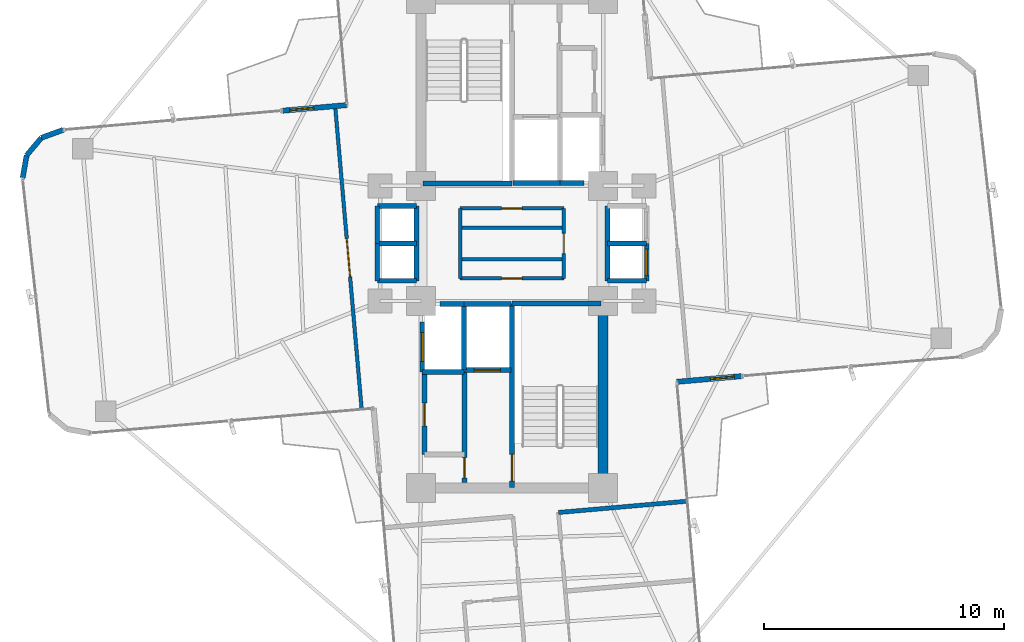
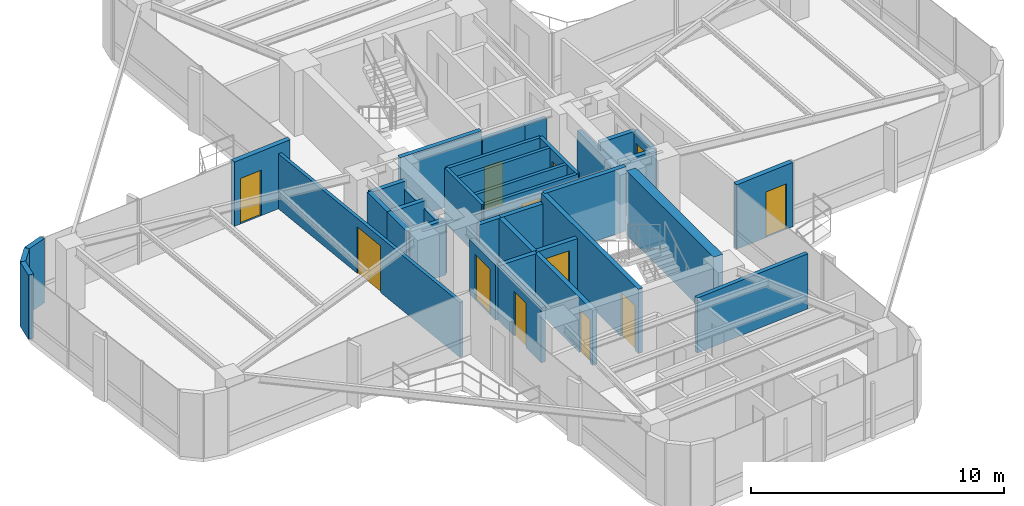
# One storey, part 21 of 24: 37 walls, 12 doors, 12 openings.
"""IFC4 building model written with IfcOpenShell, lengths in metres."""

from ifc_helpers import new_model, si_unit, direction, frame, frame_2d, origin, origin_2d, place, context, subcontext, project, spatial, rectangle, extrude, source, transform, mapped, material, layer, layer_set, type_object, element, fill, save


model = new_model("IFC4")

# Units and contexts
model_context = context("Model", 3, precision=1e-05, world=origin(), true_north=direction((0.0, 1.0)))
body_context = subcontext(model_context, "Body", "Model", "MODEL_VIEW")
ifc_project = project(units=[si_unit("LENGTHUNIT", "METRE"), si_unit("AREAUNIT", "SQUARE_METRE"), si_unit("VOLUMEUNIT", "CUBIC_METRE"), si_unit("PLANEANGLEUNIT", "RADIAN"), si_unit("MASSUNIT", "GRAM", prefix="KILO")], contexts=[model_context])

# Site, building, storey
site_placement = place(None, origin())
site = spatial("IfcSite", under=ifc_project, at=site_placement, CompositionType="ELEMENT")
building_placement = place(site_placement, origin())
building = spatial("IfcBuilding", under=site, at=building_placement, Name="Sahyath Konkavel Grand Hotel", CompositionType="ELEMENT")
storey_placement = place(building_placement, frame((0.0, 0.0, 160.64990234375)))
storey = spatial("IfcBuildingStorey", under=building, at=storey_placement, Name="L44", CompositionType="ELEMENT", Elevation=160.64990234375)

# Wall
ifc_material_1 = material(Name="Concrete C50/60", Category="concrete")
ifc_layer_1 = layer(ifc_material_1, 0.419921875)
ifc_layer_set_1 = layer_set([ifc_layer_1], Name="Concrete C50/60")
wall_type_1 = type_object("IfcWallType", Name="CWALL-420", PredefinedType="SHEAR", material=ifc_layer_set_1)
wall_1_placement = place(storey_placement, frame((3.800048828125, -9.75, 0.0), z_axis=(0.0, 0.0, 1.0), x_axis=(0.0, 1.0, 0.0)))
element("IfcWall", 1, at=wall_1_placement, inside=storey, type_object=wall_type_1, Name="L44 South Core Shear Wall E", PredefinedType="SHEAR", context=body_context, shape_type="SweptSolid", body=[
    extrude(rectangle(XDim=6.89990234375, YDim=0.419921875, at=frame_2d((3.449951171875, 0.0))), origin(), (0.0, 0.0, 1.0), 3.110107421875),
])

# Wall, opening, door
ifc_material_2 = material(Name="Warm Buff Sandstone Insulated Concrete C40/50", Category="masonry")
ifc_layer_2 = layer(ifc_material_2, 0.219970703125)
ifc_layer_set_2 = layer_set([ifc_layer_2], Name="Warm Buff Sandstone Insulated Concrete C40/50")
wall_type_2 = type_object("IfcWallType", Name="WLL-BALC-THRESH", PredefinedType="STANDARD", material=ifc_layer_set_2)
wall_2_placement = place(storey_placement, frame((6.87939453125, -5.7724609375, 0.0), z_axis=(0.0, 0.0, 1.0), x_axis=(0.996193619346, 0.087168071984, 0.0)))
wall_2 = element("IfcWall", 2, at=wall_2_placement, inside=storey, type_object=wall_type_2, Name="L44 Winter-Garden Threshold Wall 0", PredefinedType="STANDARD", context=body_context, shape_type="SweptSolid", body=[
    extrude(rectangle(XDim=2.699951171875, YDim=0.219970703125, at=frame_2d((1.35009765625, 0.0))), origin(), (0.0, 0.0, 1.0), 3.110107421875),
])
opening_1_placement = place(wall_2_placement, frame((1.39990234375, 0.0, 0.0)))
opening_1 = element("IfcOpeningElement", 3, at=opening_1_placement, cuts=wall_2, Name="Opening D-TR1", PredefinedType="OPENING", context=body_context, shape_type="SweptSolid", body=[
    extrude(rectangle(XDim=1.0, YDim=2.199951171875, at=frame_2d((0.5, 1.10009765625))), frame((0.0, 0.1201171875, 0.0), z_axis=(0.0, -1.0, 0.0), x_axis=(1.0, 0.0, 0.0)), (0.0, 0.0, 1.0), 0.239990234375),
])
ifc_material_3 = material(Name="Anodised Bronze Aluminium & Low-E Glazing", Category="aluminium")
door_type_1 = type_object("IfcDoorType", Name="DR-TERRACE-1000", OperationType="NOTDEFINED", PredefinedType="DOOR", material=ifc_material_3)
shared_shape_1 = source(origin(), body_context, "Body", "SweptSolid", [
    extrude(rectangle(XDim=1.0, YDim=0.050048828125, at=origin_2d()), origin(), (0.0, 0.0, 1.0), 2.199951171875),
])
door_1_placement = place(opening_1_placement, frame((0.5, 0.0, 0.0)))
door_1 = element("IfcDoor", 4, at=door_1_placement, inside=storey, type_object=door_type_1, Name="L44 Winter-Garden Terrace Door 0", OperationType="SINGLE_SWING_LEFT", OverallHeight=2.199951171875, OverallWidth=1.0, PredefinedType="DOOR", context=body_context, shape_type="MappedRepresentation", body=[
    mapped(shared_shape_1, transform((0.0, 0.0, 0.0), scale=1.0)),
])
fill(opening_1, door_1)

wall_3_placement = place(storey_placement, frame((-6.87939453125, 5.7724609375, 0.0), z_axis=(0.0, 0.0, 1.0), x_axis=(-0.996193619346, -0.087168071984, 0.0)))
wall_3 = element("IfcWall", 5, at=wall_3_placement, inside=storey, type_object=wall_type_2, Name="L44 Winter-Garden Threshold Wall 16", PredefinedType="STANDARD", context=body_context, shape_type="SweptSolid", body=[
    extrude(rectangle(XDim=2.699951171875, YDim=0.219970703125, at=frame_2d((1.35009765625, 0.0))), origin(), (0.0, 0.0, 1.0), 3.110107421875),
])
opening_2_placement = place(wall_3_placement, frame((1.39990234375, 0.0, 0.0)))
opening_2 = element("IfcOpeningElement", 6, at=opening_2_placement, cuts=wall_3, Name="Opening D-TR1", PredefinedType="OPENING", context=body_context, shape_type="SweptSolid", body=[
    extrude(rectangle(XDim=1.0, YDim=2.199951171875, at=frame_2d((0.5, 1.10009765625))), frame((0.0, 0.1201171875, 0.0), z_axis=(0.0, -1.0, 0.0), x_axis=(1.0, 0.0, 0.0)), (0.0, 0.0, 1.0), 0.239990234375),
])
door_2_placement = place(opening_2_placement, frame((0.5, 0.0, 0.0)))
door_2 = element("IfcDoor", 7, at=door_2_placement, inside=storey, type_object=door_type_1, Name="L44 Winter-Garden Terrace Door 16", OperationType="SINGLE_SWING_LEFT", OverallHeight=2.199951171875, OverallWidth=1.0, PredefinedType="DOOR", context=body_context, shape_type="MappedRepresentation", body=[
    mapped(shared_shape_1, transform((0.0, 0.0, 0.0), scale=1.0)),
])
fill(opening_2, door_2)

# Walls
wall_4_placement = place(storey_placement, frame((-18.73388671875, 4.735107421875, 0.0), z_axis=(0.0, 0.0, 1.0), x_axis=(-0.939741306239, -0.34188635151, 0.0)))
element("IfcWall", 8, at=wall_4_placement, inside=storey, type_object=wall_type_2, Name="L44 Rounded Corner Sandstone Pier 17", PredefinedType="STANDARD", context=body_context, shape_type="SweptSolid", body=[
    extrude(rectangle(XDim=0.95751953125, YDim=0.219970703125, at=frame_2d((0.478759765625, 0.0))), origin(), (0.0, 0.0, 1.0), 3.110107421875),
])
for number, where, z_axis, x_axis, name in (
    (9, (-19.6337890625, 4.40771484375, 0.0), (0.0, 0.0, 1.0), (-0.642863236823, -0.765980978054, 0.0), "L44 Rounded Corner Sandstone Pier 18"),
    (10, (-20.24951171875, 3.674072265625, 0.0), (0.0, 0.0, 1.0), (-0.173610811841, -0.984814340885, 0.0), "L44 Rounded Corner Sandstone Pier 19"),
):
    element("IfcWall", number, at=place(storey_placement, frame(where, z_axis=z_axis, x_axis=x_axis)), inside=storey, type_object=wall_type_2, Name=name, PredefinedType="STANDARD", context=body_context, shape_type="SweptSolid", body=[
        extrude(rectangle(XDim=0.957763671875, YDim=0.219970703125, at=frame_2d((0.47900390625, 0.0))), origin(), (0.0, 0.0, 1.0), 3.110107421875),
    ])
ifc_material_4 = material(Name="Concrete C40/50", Category="concrete")
ifc_layer_3 = layer(ifc_material_4, 0.199951171875)
ifc_layer_set_3 = layer_set([ifc_layer_3], Name="Concrete C40/50")
wall_type_3 = type_object("IfcWallType", Name="WLL-CORE-200", PredefinedType="SOLIDWALL", material=ifc_layer_set_3)
wall_5_placement = place(storey_placement, frame((-3.719970703125, 2.5, 0.0), z_axis=(0.0, 0.0, 1.0), x_axis=(1.0, 0.0, 0.0)))
element("IfcWall", 11, at=wall_5_placement, inside=storey, type_object=wall_type_3, Name="L44 Stair ST-1 Shaft Wall S", PredefinedType="SOLIDWALL", context=body_context, shape_type="SweptSolid", body=[
    extrude(rectangle(XDim=3.719970703125, YDim=0.199951171875, at=frame_2d((1.85986328125, 0.0))), origin(), (0.0, 0.0, 1.0), 3.110107421875),
])

# Wall, opening, door
wall_6_placement = place(storey_placement, frame((0.0, -10.179931640625, 0.0), z_axis=(0.0, 0.0, 1.0), x_axis=(0.0, 1.0, 0.0)))
wall_6 = element("IfcWall", 12, at=wall_6_placement, inside=storey, type_object=wall_type_3, Name="L44 Stair ST-2 Shaft Wall W", PredefinedType="SOLIDWALL", context=body_context, shape_type="SweptSolid", body=[
    extrude(rectangle(XDim=7.679931640625, YDim=0.199951171875, at=frame_2d((3.83984375, 0.0))), origin(), (0.0, 0.0, 1.0), 3.110107421875),
])
opening_3_placement = place(wall_6_placement, frame((0.280029296875, 0.0, 0.0)))
opening_3 = element("IfcOpeningElement", 13, at=opening_3_placement, cuts=wall_6, Name="Opening D-F12B", PredefinedType="OPENING", context=body_context, shape_type="SweptSolid", body=[
    extrude(rectangle(XDim=1.10009765625, YDim=2.14990234375, at=frame_2d((0.550048828125, 1.074951171875))), frame((0.0, 0.10986328125, 0.0), z_axis=(0.0, -1.0, 0.0), x_axis=(1.0, 0.0, 0.0)), (0.0, 0.0, 1.0), 0.219970703125),
])
ifc_material_5 = material(Name="Steel E350 Smokeproof Fire Door", Category="steel")
door_type_2 = type_object("IfcDoorType", Name="DR-FD120-1100", OperationType="NOTDEFINED", PredefinedType="DOOR", material=ifc_material_5)
shared_shape_2 = source(origin(), body_context, "Body", "SweptSolid", [
    extrude(rectangle(XDim=1.10009765625, YDim=0.050048828125, at=origin_2d()), origin(), (0.0, 0.0, 1.0), 2.14990234375),
])
door_3_placement = place(opening_3_placement, frame((0.550048828125, 0.0, 0.0)))
door_3 = element("IfcDoor", 14, at=door_3_placement, inside=storey, type_object=door_type_2, Name="L44 Stair ST-2 Fire Door", OperationType="SINGLE_SWING_LEFT", OverallHeight=2.14990234375, OverallWidth=1.10009765625, PredefinedType="DOOR", context=body_context, shape_type="MappedRepresentation", body=[
    mapped(shared_shape_2, transform((0.0, 0.0, 0.0), scale=1.0)),
])
fill(opening_3, door_3)

# Wall
wall_7_placement = place(storey_placement, frame((0.0, -2.5, 0.0), z_axis=(0.0, 0.0, 1.0), x_axis=(1.0, 0.0, 0.0)))
element("IfcWall", 15, at=wall_7_placement, inside=storey, type_object=wall_type_3, Name="L44 Stair ST-2 Shaft Wall N", PredefinedType="SOLIDWALL", context=body_context, shape_type="SweptSolid", body=[
    extrude(rectangle(XDim=3.719970703125, YDim=0.199951171875, at=frame_2d((1.85986328125, 0.0))), origin(), (0.0, 0.0, 1.0), 3.110107421875),
])

# Wall, opening, door
wall_8_placement = place(storey_placement, frame((-1.97998046875, -9.97998046875, 0.0), z_axis=(0.0, 0.0, 1.0), x_axis=(0.0, 1.0, 0.0)))
wall_8 = element("IfcWall", 16, at=wall_8_placement, inside=storey, type_object=wall_type_3, Name="L44 South Firefighting Lobby Wall W", PredefinedType="SOLIDWALL", context=body_context, shape_type="SweptSolid", body=[
    extrude(rectangle(XDim=4.659912109375, YDim=0.199951171875, at=frame_2d((2.330078125, 0.0))), origin(), (0.0, 0.0, 1.0), 2.66015625),
])
opening_4_placement = place(wall_8_placement, frame((0.199951171875, 0.0, 0.0)))
opening_4 = element("IfcOpeningElement", 17, at=opening_4_placement, cuts=wall_8, Name="Opening D-F12D", PredefinedType="OPENING", context=body_context, shape_type="SweptSolid", body=[
    extrude(rectangle(XDim=0.85009765625, YDim=2.10009765625, at=frame_2d((0.425048828125, 1.050048828125))), frame((0.0, 0.10986328125, 0.0), z_axis=(0.0, -1.0, 0.0), x_axis=(1.0, 0.0, 0.0)), (0.0, 0.0, 1.0), 0.219970703125),
])
ifc_material_6 = material(Name="Steel E350 Core Fire Door", Category="steel")
door_type_3 = type_object("IfcDoorType", Name="DR-FD120-850", OperationType="NOTDEFINED", PredefinedType="DOOR", material=ifc_material_6)
shared_shape_3 = source(origin(), body_context, "Body", "SweptSolid", [
    extrude(rectangle(XDim=0.85009765625, YDim=0.050048828125, at=origin_2d()), origin(), (0.0, 0.0, 1.0), 2.10009765625),
])
door_4_placement = place(opening_4_placement, frame((0.425048828125, 0.0, 0.0)))
door_4 = element("IfcDoor", 18, at=door_4_placement, inside=storey, type_object=door_type_3, Name="L44 South Firefighting Lobby Door", OperationType="SINGLE_SWING_LEFT", OverallHeight=2.10009765625, OverallWidth=0.85009765625, PredefinedType="DOOR", context=body_context, shape_type="MappedRepresentation", body=[
    mapped(shared_shape_3, transform((0.0, 0.0, 0.0), scale=1.0)),
])
fill(opening_4, door_4)

# Walls
wall_9_placement = place(storey_placement, frame((0.050048828125, 2.52001953125, 0.0), z_axis=(0.0, 0.0, 1.0), x_axis=(1.0, 0.0, 0.0)))
element("IfcWall", 19, at=wall_9_placement, inside=storey, type_object=wall_type_3, Name="L44 Partition SH-FFL1-S", PredefinedType="SOLIDWALL", context=body_context, shape_type="SweptSolid", body=[
    extrude(rectangle(XDim=1.949951171875, YDim=0.199951171875, at=frame_2d((0.97509765625, 0.0))), origin(), (0.0, 0.0, 1.0), 2.66015625),
])
wall_10_placement = place(storey_placement, frame((-2.0, -5.280029296875, 0.0), z_axis=(0.0, 0.0, 1.0), x_axis=(0.0, 1.0, 0.0)))
element("IfcWall", 20, at=wall_10_placement, inside=storey, type_object=wall_type_3, Name="L44 Partition SH-FFL2-W", PredefinedType="SOLIDWALL", context=body_context, shape_type="SweptSolid", body=[
    extrude(rectangle(XDim=2.780029296875, YDim=0.199951171875, at=frame_2d((1.39013671875, 0.0))), origin(), (0.0, 0.0, 1.0), 2.66015625),
])
wall_11_placement = place(storey_placement, frame((-2.0, -2.52001953125, 0.0), z_axis=(0.0, 0.0, 1.0), x_axis=(1.0, 0.0, 0.0)))
element("IfcWall", 21, at=wall_11_placement, inside=storey, type_object=wall_type_3, Name="L44 Partition SH-FFL2-N", PredefinedType="SOLIDWALL", context=body_context, shape_type="SweptSolid", body=[
    extrude(rectangle(XDim=1.949951171875, YDim=0.199951171875, at=frame_2d((0.97509765625, 0.0))), origin(), (0.0, 0.0, 1.0), 2.66015625),
])

# Wall, opening, door
wall_12_placement = place(storey_placement, frame((-1.97998046875, -5.280029296875, 0.0), z_axis=(0.0, 0.0, 1.0), x_axis=(1.0, 0.0, 0.0)))
wall_12 = element("IfcWall", 22, at=wall_12_placement, inside=storey, type_object=wall_type_3, Name="L44 Partition SH-FFL2-S", PredefinedType="SOLIDWALL", context=body_context, shape_type="SweptSolid", body=[
    extrude(rectangle(XDim=1.929931640625, YDim=0.199951171875, at=frame_2d((0.96484375, 0.0))), origin(), (0.0, 0.0, 1.0), 2.66015625),
])
opening_5_placement = place(wall_12_placement, frame((0.39990234375, 0.0, 0.0)))
opening_5 = element("IfcOpeningElement", 23, at=opening_5_placement, cuts=wall_12, Name="Opening LD-11", PredefinedType="OPENING", context=body_context, shape_type="SweptSolid", body=[
    extrude(rectangle(XDim=1.10009765625, YDim=2.199951171875, at=frame_2d((0.550048828125, 1.10009765625))), frame((0.0, 0.10986328125, 0.0), z_axis=(0.0, -1.0, 0.0), x_axis=(1.0, 0.0, 0.0)), (0.0, 0.0, 1.0), 0.219970703125),
])
ifc_material_7 = material(Name="Bronze Lift Landing Door 1100")
door_type_4 = type_object("IfcDoorType", Name="DR-LIFT-1100", OperationType="DOUBLE_DOOR_SLIDING", PredefinedType="DOOR", material=ifc_material_7)
shared_shape_4 = source(origin(), body_context, "Body", "SweptSolid", [
    extrude(rectangle(XDim=1.10009765625, YDim=0.050048828125, at=origin_2d()), origin(), (0.0, 0.0, 1.0), 2.199951171875),
])
door_5_placement = place(opening_5_placement, frame((0.550048828125, 0.0, 0.0)))
door_5 = element("IfcDoor", 24, at=door_5_placement, inside=storey, type_object=door_type_4, Name="L44 Lift FFL-2 Landing Door", OperationType="DOUBLE_DOOR_SLIDING", OverallHeight=2.199951171875, OverallWidth=1.10009765625, PredefinedType="DOOR", context=body_context, shape_type="MappedRepresentation", body=[
    mapped(shared_shape_4, transform((0.0, 0.0, 0.0), scale=1.0)),
])
fill(opening_5, door_5)

# Walls
for number, where, z_axis, x_axis, name in (
    (25, (2.0, 2.52001953125, 0.0), (0.0, 0.0, 1.0), (1.0, 0.0, 0.0), "L44 Partition SH-SVL1-S"),
    (26, (-3.0, -2.52001953125, 0.0), (0.0, 0.0, 1.0), (1.0, 0.0, 0.0), "L44 Partition SH-SVL2-N"),
):
    element("IfcWall", number, at=place(storey_placement, frame(where, z_axis=z_axis, x_axis=x_axis)), inside=storey, type_object=wall_type_3, Name=name, PredefinedType="SOLIDWALL", context=body_context, shape_type="SweptSolid", body=[
        extrude(rectangle(XDim=1.0, YDim=0.199951171875, at=frame_2d((0.5, 0.0))), origin(), (0.0, 0.0, 1.0), 2.66015625),
    ])
wall_13_placement = place(storey_placement, frame((-3.739990234375, -5.360107421875, 0.0), z_axis=(0.0, 0.0, 1.0), x_axis=(1.0, 0.0, 0.0)))
element("IfcWall", 27, at=wall_13_placement, inside=storey, type_object=wall_type_3, Name="L44 Partition SH-SVL2-S", PredefinedType="SOLIDWALL", context=body_context, shape_type="SweptSolid", body=[
    extrude(rectangle(XDim=1.739990234375, YDim=0.199951171875, at=frame_2d((0.8701171875, 0.0))), origin(), (0.0, 0.0, 1.0), 2.66015625),
])

# Wall, opening, door
wall_14_placement = place(storey_placement, frame((-3.739990234375, -5.360107421875, 0.0), z_axis=(0.0, 0.0, 1.0), x_axis=(0.0, 1.0, 0.0)))
wall_14 = element("IfcWall", 28, at=wall_14_placement, inside=storey, type_object=wall_type_3, Name="L44 Partition SH-SVL2-W", PredefinedType="SOLIDWALL", context=body_context, shape_type="SweptSolid", body=[
    extrude(rectangle(XDim=2.080078125, YDim=0.199951171875, at=frame_2d((1.0400390625, 0.0))), origin(), (0.0, 0.0, 1.0), 2.66015625),
])
opening_6_placement = place(wall_14_placement, frame((0.43994140625, 0.0, 0.0)))
opening_6 = element("IfcOpeningElement", 29, at=opening_6_placement, cuts=wall_14, Name="Opening LD-12", PredefinedType="OPENING", context=body_context, shape_type="SweptSolid", body=[
    extrude(rectangle(XDim=1.199951171875, YDim=2.199951171875, at=frame_2d((0.60009765625, 1.10009765625))), frame((0.0, 0.10986328125, 0.0), z_axis=(0.0, -1.0, 0.0), x_axis=(1.0, 0.0, 0.0)), (0.0, 0.0, 1.0), 0.219970703125),
])
ifc_material_8 = material(Name="Stainless Steel Lift Landing Door 1200", Category="steel")
door_type_5 = type_object("IfcDoorType", Name="DR-LIFT-1200", OperationType="DOUBLE_DOOR_SLIDING", PredefinedType="DOOR", material=ifc_material_8)
shared_shape_5 = source(origin(), body_context, "Body", "SweptSolid", [
    extrude(rectangle(XDim=1.199951171875, YDim=0.050048828125, at=origin_2d()), origin(), (0.0, 0.0, 1.0), 2.199951171875),
])
door_6_placement = place(opening_6_placement, frame((0.60009765625, 0.0, 0.0)))
door_6 = element("IfcDoor", 30, at=door_6_placement, inside=storey, type_object=door_type_5, Name="L44 Service Lift SVL-2 Landing Door", OperationType="DOUBLE_DOOR_SLIDING", OverallHeight=2.199951171875, OverallWidth=1.199951171875, PredefinedType="DOOR", context=body_context, shape_type="MappedRepresentation", body=[
    mapped(shared_shape_5, transform((0.0, 0.0, 0.0), scale=1.0)),
])
fill(opening_6, door_6)

# Walls
wall_15_placement = place(storey_placement, frame((3.97998046875, -1.56005859375, 0.0), z_axis=(0.0, 0.0, 1.0), x_axis=(0.0, 1.0, 0.0)))
element("IfcWall", 31, at=wall_15_placement, inside=storey, type_object=wall_type_3, Name="L44 Partition SH-PL56-W", PredefinedType="SOLIDWALL", context=body_context, shape_type="SweptSolid", body=[
    extrude(rectangle(XDim=3.1201171875, YDim=0.199951171875, at=frame_2d((1.56005859375, 0.0))), origin(), (0.0, 0.0, 1.0), 2.280029296875),
])
for number, where, z_axis, x_axis, name in (
    (32, (3.97998046875, -1.56005859375, 0.0), (0.0, 0.0, 1.0), (1.0, 0.0, 0.0), "L44 Partition SH-PL56-S"),
    (33, (3.97998046875, 0.0, 0.0), (0.0, 0.0, 1.0), (1.0, 0.0, 0.0), "L44 Partition SH-PL56-M"),
):
    element("IfcWall", number, at=place(storey_placement, frame(where, z_axis=z_axis, x_axis=x_axis)), inside=storey, type_object=wall_type_3, Name=name, PredefinedType="SOLIDWALL", context=body_context, shape_type="SweptSolid", body=[
        extrude(rectangle(XDim=1.64013671875, YDim=0.199951171875, at=frame_2d((0.820068359375, 0.0))), origin(), (0.0, 0.0, 1.0), 2.66015625),
    ])

# Wall, opening, door
wall_16_placement = place(storey_placement, frame((5.6201171875, -1.56005859375, 0.0), z_axis=(0.0, 0.0, 1.0), x_axis=(0.0, 1.0, 0.0)))
wall_16 = element("IfcWall", 34, at=wall_16_placement, inside=storey, type_object=wall_type_3, Name="L44 Partition SH-PL6-E", PredefinedType="SOLIDWALL", context=body_context, shape_type="SweptSolid", body=[
    extrude(rectangle(XDim=1.56005859375, YDim=0.199951171875, at=frame_2d((0.780029296875, 0.0))), origin(), (0.0, 0.0, 1.0), 2.66015625),
])
opening_7_placement = place(wall_16_placement, frame((0.219970703125, 0.0, 0.0)))
opening_7 = element("IfcOpeningElement", 35, at=opening_7_placement, cuts=wall_16, Name="Opening LD-11", PredefinedType="OPENING", context=body_context, shape_type="SweptSolid", body=[
    extrude(rectangle(XDim=1.10009765625, YDim=2.199951171875, at=frame_2d((0.550048828125, 1.10009765625))), frame((0.0, 0.10986328125, 0.0), z_axis=(0.0, -1.0, 0.0), x_axis=(1.0, 0.0, 0.0)), (0.0, 0.0, 1.0), 0.219970703125),
])
door_7_placement = place(opening_7_placement, frame((0.550048828125, 0.0, 0.0)))
door_7 = element("IfcDoor", 36, at=door_7_placement, inside=storey, type_object=door_type_4, Name="L44 High-Rise Lift PL-6 Landing Door", OperationType="DOUBLE_DOOR_SLIDING", OverallHeight=2.199951171875, OverallWidth=1.10009765625, PredefinedType="DOOR", context=body_context, shape_type="MappedRepresentation", body=[
    mapped(shared_shape_4, transform((0.0, 0.0, 0.0), scale=1.0)),
])
fill(opening_7, door_7)

# Walls
wall_17_placement = place(storey_placement, frame((-3.97998046875, -1.56005859375, 0.0), z_axis=(0.0, 0.0, 1.0), x_axis=(0.0, 1.0, 0.0)))
element("IfcWall", 37, at=wall_17_placement, inside=storey, type_object=wall_type_3, Name="L44 Partition SH-SL12-E", PredefinedType="SOLIDWALL", context=body_context, shape_type="SweptSolid", body=[
    extrude(rectangle(XDim=3.1201171875, YDim=0.199951171875, at=frame_2d((1.56005859375, 0.0))), origin(), (0.0, 0.0, 1.0), 2.280029296875),
])
for number, where, z_axis, x_axis, name in (
    (38, (-5.6201171875, 1.56005859375, 0.0), (0.0, 0.0, 1.0), (1.0, 0.0, 0.0), "L44 Partition SH-SL12-N"),
    (39, (-5.6201171875, -1.56005859375, 0.0), (0.0, 0.0, 1.0), (1.0, 0.0, 0.0), "L44 Partition SH-SL12-S"),
    (40, (-5.6201171875, 0.0, 0.0), (0.0, 0.0, 1.0), (1.0, 0.0, 0.0), "L44 Partition SH-SL12-M"),
):
    element("IfcWall", number, at=place(storey_placement, frame(where, z_axis=z_axis, x_axis=x_axis)), inside=storey, type_object=wall_type_3, Name=name, PredefinedType="SOLIDWALL", context=body_context, shape_type="SweptSolid", body=[
        extrude(rectangle(XDim=1.64013671875, YDim=0.199951171875, at=frame_2d((0.820068359375, 0.0))), origin(), (0.0, 0.0, 1.0), 2.66015625),
    ])
for number, where, z_axis, x_axis, name in (
    (41, (-5.6201171875, 0.0, 0.0), (0.0, 0.0, 1.0), (0.0, 1.0, 0.0), "L44 Partition SH-SL1-W"),
    (42, (-5.6201171875, -1.56005859375, 0.0), (0.0, 0.0, 1.0), (0.0, 1.0, 0.0), "L44 Partition SH-SL2-W"),
):
    element("IfcWall", number, at=place(storey_placement, frame(where, z_axis=z_axis, x_axis=x_axis)), inside=storey, type_object=wall_type_3, Name=name, PredefinedType="SOLIDWALL", context=body_context, shape_type="SweptSolid", body=[
        extrude(rectangle(XDim=1.56005859375, YDim=0.199951171875, at=frame_2d((0.780029296875, 0.0))), origin(), (0.0, 0.0, 1.0), 2.66015625),
    ])

# Wall, opening, door
wall_18_placement = place(storey_placement, frame((-3.64990234375, -8.81005859375, 0.0), z_axis=(0.0, 0.0, 1.0), x_axis=(0.0, 1.0, 0.0)))
wall_18 = element("IfcWall", 43, at=wall_18_placement, inside=storey, type_object=wall_type_3, Name="L44 Reclaimed South Core Wall W", PredefinedType="SOLIDWALL", context=body_context, shape_type="SweptSolid", body=[
    extrude(rectangle(XDim=3.43017578125, YDim=0.199951171875, at=frame_2d((1.715087890625, 0.0))), origin(), (0.0, 0.0, 1.0), 2.66015625),
])
opening_8_placement = place(wall_18_placement, frame((1.199951171875, 0.0, 0.0)))
opening_8 = element("IfcOpeningElement", 44, at=opening_8_placement, cuts=wall_18, Name="Opening D-AC95", PredefinedType="OPENING", context=body_context, shape_type="SweptSolid", body=[
    extrude(rectangle(XDim=0.949951171875, YDim=2.14990234375, at=frame_2d((0.47509765625, 1.074951171875))), frame((0.0, 0.10986328125, 0.0), z_axis=(0.0, -1.0, 0.0), x_axis=(1.0, 0.0, 0.0)), (0.0, 0.0, 1.0), 0.219970703125),
])
ifc_material_9 = material(Name="Accessible Washroom Timber Door", Category="wood")
door_type_6 = type_object("IfcDoorType", Name="DR-ACC-950", OperationType="NOTDEFINED", PredefinedType="DOOR", material=ifc_material_9)
shared_shape_6 = source(origin(), body_context, "Body", "SweptSolid", [
    extrude(rectangle(XDim=0.949951171875, YDim=0.050048828125, at=origin_2d()), origin(), (0.0, 0.0, 1.0), 2.14990234375),
])
door_8_placement = place(opening_8_placement, frame((0.47509765625, 0.0, 0.0)))
door_8 = element("IfcDoor", 45, at=door_8_placement, inside=storey, type_object=door_type_6, Name="L44 Door SC-REC1-D", OperationType="SINGLE_SWING_LEFT", OverallHeight=2.14990234375, OverallWidth=0.949951171875, PredefinedType="DOOR", context=body_context, shape_type="MappedRepresentation", body=[
    mapped(shared_shape_6, transform((0.0, 0.0, 0.0), scale=1.0)),
])
fill(opening_8, door_8)

# Wall
ifc_material_10 = material(Name="Twin-Stud Acoustic Gypsum Plasterboard Partition")
ifc_layer_4 = layer(ifc_material_10, 0.179931640625)
ifc_layer_set_4 = layer_set([ifc_layer_4], Name="Twin-Stud Acoustic Gypsum Plasterboard Partition")
wall_type_4 = type_object("IfcWallType", Name="WLL-DEMISE-180", PredefinedType="PARTITIONING", material=ifc_layer_set_4)
wall_19_placement = place(storey_placement, frame((1.935546875, -11.22412109375, 0.0), z_axis=(0.0, 0.0, 1.0), x_axis=(0.996194212812, 0.087161289348, 0.0)))
element("IfcWall", 46, at=wall_19_placement, inside=storey, type_object=wall_type_4, Name="L44 Partition S-INL", PredefinedType="PARTITIONING", context=body_context, shape_type="SweptSolid", body=[
    extrude(rectangle(XDim=5.349853515625, YDim=0.179931640625, at=frame_2d((2.6748046875, 0.0))), origin(), (0.0, 0.0, 1.0), 2.66015625),
])

# Wall, opening, door
ifc_material_11 = material(Name="Fire-Rated Gypsum Plasterboard Partition")
ifc_layer_5 = layer(ifc_material_11, 0.14990234375)
ifc_layer_set_5 = layer_set([ifc_layer_5], Name="Fire-Rated Gypsum Plasterboard Partition")
wall_type_5 = type_object("IfcWallType", Name="WLL-PART-150", PredefinedType="PARTITIONING", material=ifc_layer_set_5)
wall_20_placement = place(storey_placement, frame((2.159912109375, -1.4599609375, 0.0), z_axis=(0.0, 0.0, 1.0), x_axis=(0.0, 1.0, 0.0)))
wall_20 = element("IfcWall", 47, at=wall_20_placement, inside=storey, type_object=wall_type_5, Name="L44 Partition CC-2E", PredefinedType="PARTITIONING", context=body_context, shape_type="SweptSolid", body=[
    extrude(rectangle(XDim=2.919921875, YDim=0.14990234375, at=frame_2d((1.4599609375, 0.0))), origin(), (0.0, 0.0, 1.0), 2.66015625),
])
opening_9_placement = place(wall_20_placement, frame((1.034912109375, 0.0, 0.0)))
opening_9 = element("IfcOpeningElement", 48, at=opening_9_placement, cuts=wall_20, Name="Opening D-F06D", PredefinedType="OPENING", context=body_context, shape_type="SweptSolid", body=[
    extrude(rectangle(XDim=0.85009765625, YDim=2.10009765625, at=frame_2d((0.425048828125, 1.050048828125))), frame((0.0, 0.0849609375, 0.0), z_axis=(0.0, -1.0, 0.0), x_axis=(1.0, 0.0, 0.0)), (0.0, 0.0, 1.0), 0.169921875),
])
ifc_material_12 = material(Name="Fire-Rated Shaft Access Door")
door_type_7 = type_object("IfcDoorType", Name="DR-FD60-850", OperationType="NOTDEFINED", PredefinedType="DOOR", material=ifc_material_12)
door_9_placement = place(opening_9_placement, frame((0.425048828125, 0.0, 0.0)))
door_9 = element("IfcDoor", 49, at=door_9_placement, inside=storey, type_object=door_type_7, Name="L44 Door CC-D2B", OperationType="SINGLE_SWING_LEFT", OverallHeight=2.10009765625, OverallWidth=0.85009765625, PredefinedType="DOOR", context=body_context, shape_type="MappedRepresentation", body=[
    mapped(shared_shape_3, transform((0.0, 0.0, 0.0), scale=1.0)),
])
fill(opening_9, door_9)

# Wall
wall_21_placement = place(storey_placement, frame((-2.159912109375, -1.4599609375, 0.0), z_axis=(0.0, 0.0, 1.0), x_axis=(0.0, 1.0, 0.0)))
element("IfcWall", 50, at=wall_21_placement, inside=storey, type_object=wall_type_5, Name="L44 Partition CC-2W", PredefinedType="PARTITIONING", context=body_context, shape_type="SweptSolid", body=[
    extrude(rectangle(XDim=2.919921875, YDim=0.14990234375, at=frame_2d((1.4599609375, 0.0))), origin(), (0.0, 0.0, 1.0), 2.66015625),
])

# Wall, opening, door
wall_22_placement = place(storey_placement, frame((-2.159912109375, 1.4599609375, 0.0), z_axis=(0.0, 0.0, 1.0), x_axis=(1.0, 0.0, 0.0)))
wall_22 = element("IfcWall", 51, at=wall_22_placement, inside=storey, type_object=wall_type_5, Name="L44 Partition CC-2N", PredefinedType="PARTITIONING", context=body_context, shape_type="SweptSolid", body=[
    extrude(rectangle(XDim=4.31982421875, YDim=0.14990234375, at=frame_2d((2.159912109375, 0.0))), origin(), (0.0, 0.0, 1.0), 2.66015625),
])
opening_10_placement = place(wall_22_placement, frame((1.72998046875, 0.0, 0.0)))
opening_10 = element("IfcOpeningElement", 52, at=opening_10_placement, cuts=wall_22, Name="Opening D-F06D", PredefinedType="OPENING", context=body_context, shape_type="SweptSolid", body=[
    extrude(rectangle(XDim=0.85009765625, YDim=2.10009765625, at=frame_2d((0.425048828125, 1.050048828125))), frame((0.0, 0.0849609375, 0.0), z_axis=(0.0, -1.0, 0.0), x_axis=(1.0, 0.0, 0.0)), (0.0, 0.0, 1.0), 0.169921875),
])
door_10_placement = place(opening_10_placement, frame((0.425048828125, 0.0, 0.0)))
door_10 = element("IfcDoor", 53, at=door_10_placement, inside=storey, type_object=door_type_7, Name="L44 Door CC-D2A", OperationType="SINGLE_SWING_RIGHT", OverallHeight=2.10009765625, OverallWidth=0.85009765625, PredefinedType="DOOR", context=body_context, shape_type="MappedRepresentation", body=[
    mapped(shared_shape_3, transform((0.0, 0.0, 0.0), scale=1.0)),
])
fill(opening_10, door_10)

wall_23_placement = place(storey_placement, frame((-2.159912109375, -1.4599609375, 0.0), z_axis=(0.0, 0.0, 1.0), x_axis=(1.0, 0.0, 0.0)))
wall_23 = element("IfcWall", 54, at=wall_23_placement, inside=storey, type_object=wall_type_5, Name="L44 Partition CC-2S", PredefinedType="PARTITIONING", context=body_context, shape_type="SweptSolid", body=[
    extrude(rectangle(XDim=4.31982421875, YDim=0.14990234375, at=frame_2d((2.159912109375, 0.0))), origin(), (0.0, 0.0, 1.0), 2.66015625),
])
opening_11_placement = place(wall_23_placement, frame((1.72998046875, 0.0, 0.0)))
opening_11 = element("IfcOpeningElement", 55, at=opening_11_placement, cuts=wall_23, Name="Opening D-F06D", PredefinedType="OPENING", context=body_context, shape_type="SweptSolid", body=[
    extrude(rectangle(XDim=0.85009765625, YDim=2.10009765625, at=frame_2d((0.425048828125, 1.050048828125))), frame((0.0, 0.0849609375, 0.0), z_axis=(0.0, -1.0, 0.0), x_axis=(1.0, 0.0, 0.0)), (0.0, 0.0, 1.0), 0.169921875),
])
door_11_placement = place(opening_11_placement, frame((0.425048828125, 0.0, 0.0)))
door_11 = element("IfcDoor", 56, at=door_11_placement, inside=storey, type_object=door_type_7, Name="L44 Door CC-D2C", OperationType="SINGLE_SWING_RIGHT", OverallHeight=2.10009765625, OverallWidth=0.85009765625, PredefinedType="DOOR", context=body_context, shape_type="MappedRepresentation", body=[
    mapped(shared_shape_3, transform((0.0, 0.0, 0.0), scale=1.0)),
])
fill(opening_11, door_11)

# Walls
for number, where, z_axis, x_axis, name in (
    (57, (-2.159912109375, 0.659912109375, 0.0), (0.0, 0.0, 1.0), (1.0, 0.0, 0.0), "L44 Partition CC-2M1"),
    (58, (-2.159912109375, -0.659912109375, 0.0), (0.0, 0.0, 1.0), (1.0, 0.0, 0.0), "L44 Partition CC-2M2"),
):
    element("IfcWall", number, at=place(storey_placement, frame(where, z_axis=z_axis, x_axis=x_axis)), inside=storey, type_object=wall_type_5, Name=name, PredefinedType="PARTITIONING", context=body_context, shape_type="SweptSolid", body=[
        extrude(rectangle(XDim=4.31982421875, YDim=0.14990234375, at=frame_2d((2.159912109375, 0.0))), origin(), (0.0, 0.0, 1.0), 2.66015625),
    ])

# Wall, opening, door
wall_24_placement = place(storey_placement, frame((-7.373046875, 5.678955078125, 0.0), z_axis=(0.0, 0.0, 1.0), x_axis=(0.087154691724, -0.996194790044, 0.0)))
wall_24 = element("IfcWall", 59, at=wall_24_placement, inside=storey, type_object=wall_type_5, Name="L44 Partition W-SAL-IN", PredefinedType="PARTITIONING", context=body_context, shape_type="SweptSolid", body=[
    extrude(rectangle(XDim=12.599853515625, YDim=0.14990234375, at=frame_2d((6.2998046875, 0.0))), origin(), (0.0, 0.0, 1.0), 2.66015625),
])
opening_12_placement = place(wall_24_placement, frame((5.5, 0.0, 0.0)))
opening_12 = element("IfcOpeningElement", 60, at=opening_12_placement, cuts=wall_24, Name="Opening D-DB16", PredefinedType="OPENING", context=body_context, shape_type="SweptSolid", body=[
    extrude(rectangle(XDim=1.60009765625, YDim=2.25, at=frame_2d((0.800048828125, 1.125))), frame((0.0, 0.0849609375, 0.0), z_axis=(0.0, -1.0, 0.0), x_axis=(1.0, 0.0, 0.0)), (0.0, 0.0, 1.0), 0.169921875),
])
ifc_material_13 = material(Name="Double Leaf Lounge Glazed Timber Door", Category="wood")
door_type_8 = type_object("IfcDoorType", Name="DR-DBL-1600", OperationType="DOUBLE_DOOR_SINGLE_SWING", PredefinedType="DOOR", material=ifc_material_13)
shared_shape_7 = source(origin(), body_context, "Body", "SweptSolid", [
    extrude(rectangle(XDim=1.60009765625, YDim=0.050048828125, at=origin_2d()), origin(), (0.0, 0.0, 1.0), 2.25),
])
door_12_placement = place(opening_12_placement, frame((0.800048828125, 0.0, 0.0)))
door_12 = element("IfcDoor", 61, at=door_12_placement, inside=storey, type_object=door_type_8, Name="L44 Door W-SAL-D", OperationType="DOUBLE_DOOR_SINGLE_SWING", OverallHeight=2.25, OverallWidth=1.60009765625, PredefinedType="DOOR", context=body_context, shape_type="MappedRepresentation", body=[
    mapped(shared_shape_7, transform((0.0, 0.0, 0.0), scale=1.0)),
])
fill(opening_12, door_12)

save(model, "model.ifc")
